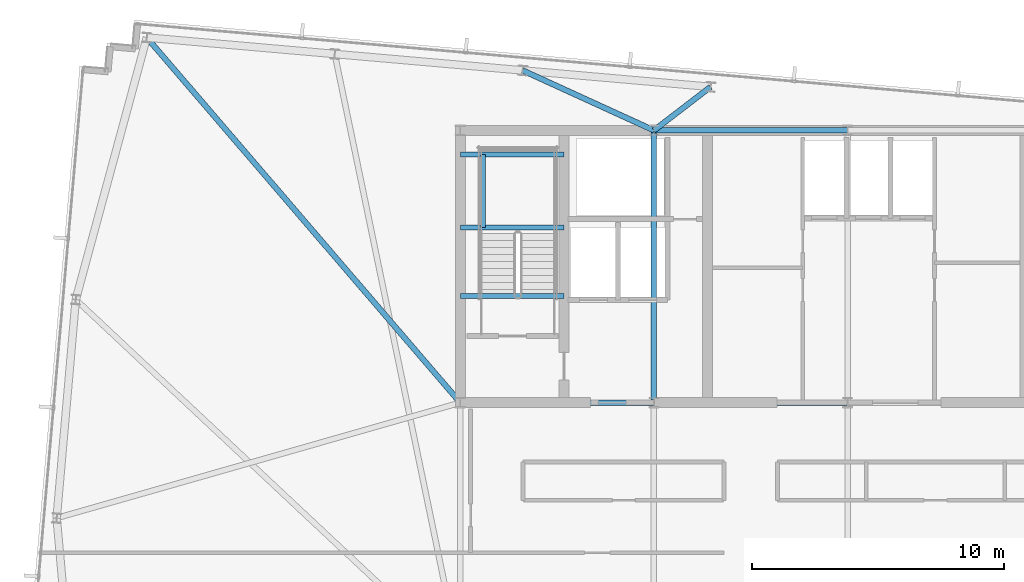
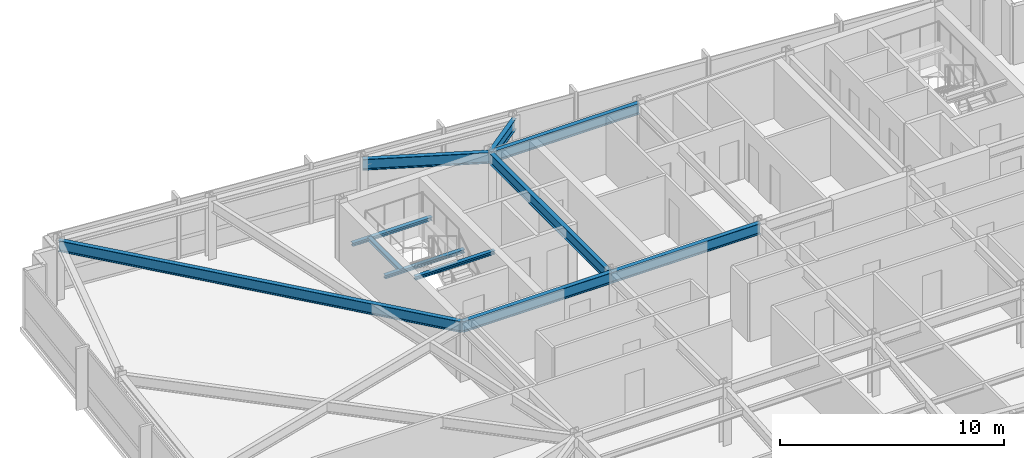
# One storey, part 9 of 24: 11 beams.
"""IFC4 building model written with IfcOpenShell, lengths in metres."""

from ifc_helpers import new_model, si_unit, direction, frame, origin, origin_2d, place, context, subcontext, project, spatial, i_section, extrude, material, material_profile, profile_set, type_object, element, save


model = new_model("IFC4")

# Units and contexts
model_context = context("Model", 3, precision=1e-05, world=origin(), true_north=direction((0.0, 1.0)))
body_context = subcontext(model_context, "Body", "Model", "MODEL_VIEW")
ifc_project = project(units=[si_unit("LENGTHUNIT", "METRE"), si_unit("AREAUNIT", "SQUARE_METRE"), si_unit("VOLUMEUNIT", "CUBIC_METRE"), si_unit("PLANEANGLEUNIT", "RADIAN"), si_unit("MASSUNIT", "GRAM", prefix="KILO")], contexts=[model_context])

# Site, building, storey
site_placement = place(None, origin())
site = spatial("IfcSite", under=ifc_project, at=site_placement, CompositionType="ELEMENT")
building_placement = place(site_placement, origin())
building = spatial("IfcBuilding", under=site, at=building_placement, Name="Yelkora Congress Tower", CompositionType="ELEMENT")
storey_placement = place(building_placement, frame((0.0, 0.0, 296.5)))
storey = spatial("IfcBuildingStorey", under=building, at=storey_placement, Name="L83", CompositionType="ELEMENT", Elevation=296.5)

# Beams
ifc_material = material(Name="Steel S355J2", Category="steel")
ifc_material_profile_1 = material_profile(ifc_material, i_section(OverallWidth=0.219970703125, OverallDepth=0.60009765625, WebThickness=0.011962890625, FlangeThickness=0.01904296875, FilletRadius=0.02392578125, at=origin_2d()), Name="IPE 600")
ifc_profile_set_1 = profile_set([ifc_material_profile_1], Name="Steel S355J2")
beam_type_1 = type_object("IfcBeamType", Name="BM-GIRD-IPE600", PredefinedType="BEAM", material=ifc_profile_set_1)
for number, where, z_axis, x_axis, name in (
    (1, (30.719970703125, 46.199951171875, 2.8798828125), (1.0, 0.0, 0.0), (0.0, 1.0, 0.0), "L83 Core North Girder 2"),
    (2, (23.0400390625, 35.39990234375, 2.8798828125), (1.0, 0.0, 0.0), (0.0, 1.0, 0.0), "L83 Core South Girder 1"),
    (3, (30.719970703125, 35.39990234375, 2.8798828125), (1.0, 0.0, 0.0), (0.0, 1.0, 0.0), "L83 Core South Girder 2"),
):
    element("IfcBeam", number, at=place(storey_placement, frame(where, z_axis=z_axis, x_axis=x_axis)), inside=storey, type_object=beam_type_1, Name=name, PredefinedType="BEAM", context=body_context, shape_type="SweptSolid", body=[
        extrude(i_section(OverallWidth=0.219970703125, OverallDepth=0.60009765625, WebThickness=0.011962890625, FlangeThickness=0.01904296875, FilletRadius=0.02392578125, at=origin_2d()), origin(), (0.0, 0.0, 1.0), 7.679931640625),
    ])
beam_1_placement = place(storey_placement, frame((30.719970703125, 35.39990234375, 2.8798828125), z_axis=(0.0, 1.0, 0.0), x_axis=(-1.0, 0.0, 0.0)))
element("IfcBeam", 4, at=beam_1_placement, inside=storey, type_object=beam_type_1, Name="L83 Core Tie Girder MC-S2", PredefinedType="BEAM", context=body_context, shape_type="SweptSolid", body=[
    extrude(i_section(OverallWidth=0.219970703125, OverallDepth=0.60009765625, WebThickness=0.011962890625, FlangeThickness=0.01904296875, FilletRadius=0.02392578125, at=origin_2d()), origin(), (0.0, 0.0, 1.0), 10.800048828125),
])
beam_2_placement = place(storey_placement, frame((10.60400390625, 49.884033203125, 2.8798828125), z_axis=(0.651427266579, -0.758711088859, 0.0), x_axis=(0.758711088859, 0.651427266579, 0.0)))
element("IfcBeam", 5, at=beam_2_placement, inside=storey, type_object=beam_type_1, Name="L83 Primary Frame Girder N01", PredefinedType="BEAM", context=body_context, shape_type="SweptSolid", body=[
    extrude(i_section(OverallWidth=0.219970703125, OverallDepth=0.60009765625, WebThickness=0.011962890625, FlangeThickness=0.01904296875, FilletRadius=0.02392578125, at=origin_2d()), origin(), (0.0, 0.0, 1.0), 19.09033203125),
])
beam_3_placement = place(storey_placement, frame((25.513916015625, 48.57958984375, 2.8798828125), z_axis=(0.909492445228, -0.415720449429, 0.0), x_axis=(0.415720449429, 0.909492445228, 0.0)))
element("IfcBeam", 6, at=beam_3_placement, inside=storey, type_object=beam_type_1, Name="L83 Primary Frame Girder N03", PredefinedType="BEAM", context=body_context, shape_type="SweptSolid", body=[
    extrude(i_section(OverallWidth=0.219970703125, OverallDepth=0.60009765625, WebThickness=0.011962890625, FlangeThickness=0.01904296875, FilletRadius=0.02392578125, at=origin_2d()), origin(), (0.0, 0.0, 1.0), 5.72412109375),
])
beam_4_placement = place(storey_placement, frame((32.968505859375, 47.927490234375, 2.8798828125), z_axis=(-0.792982335977, -0.609244626425, 0.0), x_axis=(0.609244626425, -0.792982335977, 0.0)))
element("IfcBeam", 7, at=beam_4_placement, inside=storey, type_object=beam_type_1, Name="L83 Primary Frame Girder N04", PredefinedType="BEAM", context=body_context, shape_type="SweptSolid", body=[
    extrude(i_section(OverallWidth=0.219970703125, OverallDepth=0.60009765625, WebThickness=0.011962890625, FlangeThickness=0.01904296875, FilletRadius=0.02392578125, at=origin_2d()), origin(), (0.0, 0.0, 1.0), 2.83544921875),
])
ifc_material_profile_2 = material_profile(ifc_material, i_section(OverallWidth=0.199951171875, OverallDepth=0.18994140625, WebThickness=0.006591796875, FlangeThickness=0.010009765625, FilletRadius=0.01806640625, at=origin_2d()), Name="HEA 200")
ifc_profile_set_2 = profile_set([ifc_material_profile_2], Name="Steel S355J2")
beam_type_2 = type_object("IfcBeamType", Name="BM-LAND-HEA200", PredefinedType="BEAM", material=ifc_profile_set_2)
for number, where, z_axis, x_axis, name in (
    (8, (23.0400390625, 42.340087890625, 1.384521484375), (1.0, 0.0, 0.0), (0.0, 1.0, 0.0), "ST-01 L83 Landing Header Beam 1S"),
    (9, (23.0400390625, 45.25, 1.384521484375), (1.0, 0.0, 0.0), (0.0, 1.0, 0.0), "ST-01 L83 Landing Header Beam 1N"),
):
    element("IfcBeam", number, at=place(storey_placement, frame(where, z_axis=z_axis, x_axis=x_axis)), inside=storey, type_object=beam_type_2, Name=name, PredefinedType="BEAM", context=body_context, shape_type="SweptSolid", body=[
        extrude(i_section(OverallWidth=0.199951171875, OverallDepth=0.18994140625, WebThickness=0.006591796875, FlangeThickness=0.010009765625, FilletRadius=0.01806640625, at=origin_2d()), origin(), (0.0, 0.0, 1.0), 4.10986328125),
    ])
beam_5_placement = place(storey_placement, frame((23.93994140625, 42.340087890625, 1.384521484375), z_axis=(0.0, 1.0, 0.0), x_axis=(-1.0, 0.0, 0.0)))
element("IfcBeam", 10, at=beam_5_placement, inside=storey, type_object=beam_type_2, Name="ST-01 L83 Landing Trimmer Beam 1M", PredefinedType="BEAM", context=body_context, shape_type="SweptSolid", body=[
    extrude(i_section(OverallWidth=0.199951171875, OverallDepth=0.18994140625, WebThickness=0.006591796875, FlangeThickness=0.010009765625, FilletRadius=0.01806640625, at=origin_2d()), origin(), (0.0, 0.0, 1.0), 2.909912109375),
])
beam_6_placement = place(storey_placement, frame((23.0400390625, 39.639892578125, 2.947509765625), z_axis=(1.0, 0.0, 0.0), x_axis=(0.0, 1.0, 0.0)))
element("IfcBeam", 11, at=beam_6_placement, inside=storey, type_object=beam_type_2, Name="ST-01 L83 Floor Arrival Stringer Header Beam", PredefinedType="BEAM", context=body_context, shape_type="SweptSolid", body=[
    extrude(i_section(OverallWidth=0.199951171875, OverallDepth=0.18994140625, WebThickness=0.006591796875, FlangeThickness=0.010009765625, FilletRadius=0.01806640625, at=origin_2d()), origin(), (0.0, 0.0, 1.0), 4.10986328125),
])

save(model, "model.ifc")
